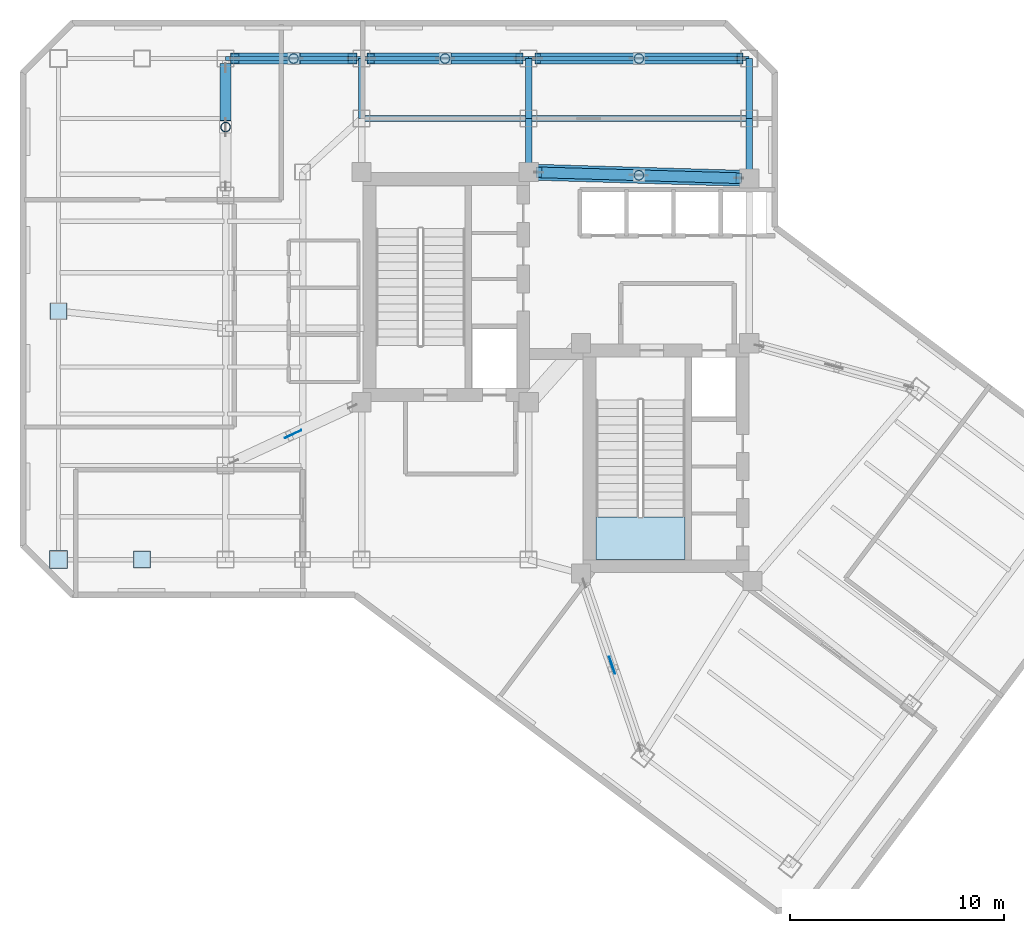
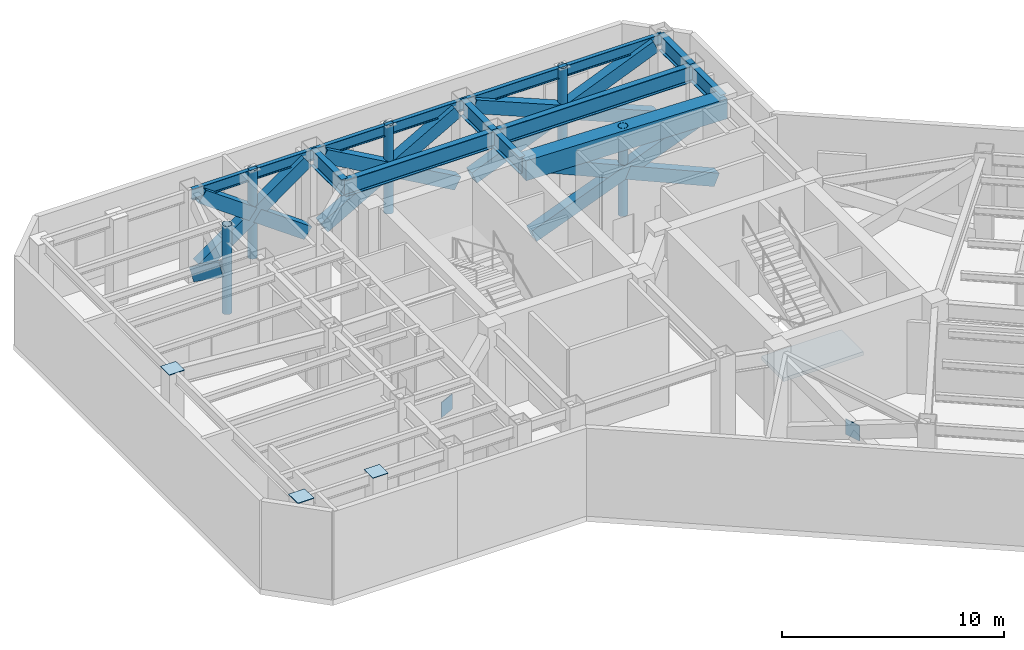
# One storey, part 3 of 12: 18 members, 11 beams, 5 plates, 1 slab, 1 element without a shape of its own.
"""IFC4 building model written with IfcOpenShell, lengths in metres."""

from ifc_helpers import new_model, si_unit, direction, frame, origin, origin_2d, place, context, subcontext, project, spatial, polyline, rectangle, hollow_rectangle, hollow_circle, i_section, outline, extrude, material, layer, layer_set, material_profile, profile_set, type_object, element, aggregate, save


model = new_model("IFC4")

# Units and contexts
model_context = context("Model", 3, precision=1e-05, world=origin(), true_north=direction((0.0, 1.0)))
body_context = subcontext(model_context, "Body", "Model", "MODEL_VIEW")
ifc_project = project(units=[si_unit("LENGTHUNIT", "METRE"), si_unit("AREAUNIT", "SQUARE_METRE"), si_unit("VOLUMEUNIT", "CUBIC_METRE"), si_unit("PLANEANGLEUNIT", "RADIAN"), si_unit("MASSUNIT", "GRAM", prefix="KILO")], contexts=[model_context])

# Site, building, storey
site_placement = place(None, origin())
site = spatial("IfcSite", under=ifc_project, at=site_placement, CompositionType="ELEMENT")
building_placement = place(site_placement, origin())
building = spatial("IfcBuilding", under=site, at=building_placement, Name="Hatsunagi Terrace Concourse", CompositionType="ELEMENT")
storey_placement = place(building_placement, frame((0.0, 0.0, 181.64990234375)))
storey = spatial("IfcBuildingStorey", under=building, at=storey_placement, Name="L48", CompositionType="ELEMENT", Elevation=181.64990234375)

# Members
ifc_material_1 = material(Name="Steel SN490B", Category="steel")
ifc_material_profile_1 = material_profile(ifc_material_1, hollow_circle(Radius=0.228515625, WallThickness=0.01904296875, at=origin_2d()), Name="CHS-457.2x19")
ifc_profile_set_1 = profile_set([ifc_material_profile_1], Name="Steel SN490B")
member_type_1 = type_object("IfcMemberType", Name="BeltTrussStrut_CHS_457x19", PredefinedType="STRUT", material=ifc_profile_set_1)
for number, where, z_axis, x_axis, name in (
    (1, (19.199951171875, 45.39990234375, 0.0), (0.0, 0.0, 1.0), (1.0, 0.0, 0.0), "Belt Strut BST-01 L48-2"),
    (2, (22.375, 48.60009765625, 0.0), (0.0, 0.0, 1.0), (1.0, 0.0, 0.0), "Belt Strut BST-01 L48-3"),
    (3, (29.449951171875, 48.60009765625, 0.0), (0.0, 0.0, 1.0), (1.0, 0.0, 0.0), "Belt Strut BST-01 L48-4"),
    (4, (38.5, 43.14990234375, 0.0), (0.0, 0.0, 1.0), (1.0, 0.0, 0.0), "Belt Strut BST-01 L48-7"),
    (5, (38.5, 48.60009765625, 0.0), (0.0, 0.0, 1.0), (1.0, 0.0, 0.0), "Belt Strut BST-01 L48-8"),
):
    element("IfcMember", number, at=place(storey_placement, frame(where, z_axis=z_axis, x_axis=x_axis)), inside=storey, type_object=member_type_1, Name=name, PredefinedType="STRUT", context=body_context, shape_type="SweptSolid", body=[
        extrude(hollow_circle(Radius=0.228515625, WallThickness=0.01904296875, at=origin_2d()), origin(), (0.0, 0.0, 1.0), 4.85009765625),
    ])

# Beams
ifc_material_2 = material(Name="Concrete Fc48", Category="concrete")
ifc_material_profile_2 = material_profile(ifc_material_2, rectangle(XDim=0.75, YDim=1.10009765625, at=origin_2d()), Name="RC-750x1100")
ifc_profile_set_2 = profile_set([ifc_material_profile_2], Name="Concrete Fc48")
beam_type_1 = type_object("IfcBeamType", Name="CoreCouplingBeam_RC_750x1100", PredefinedType="BEAM", material=ifc_profile_set_2)
beam_1_placement = place(storey_placement, frame((33.35009765625, 43.300048828125, 4.300048828125), z_axis=(0.999575947545, -0.029119153303, 0.0), x_axis=(0.029119153303, 0.999575947545, 0.0)))
element("IfcBeam", 6, at=beam_1_placement, inside=storey, type_object=beam_type_1, Name="Beam CB-02 CB-L48-2", PredefinedType="BEAM", context=body_context, shape_type="SweptSolid", body=[
    extrude(rectangle(XDim=0.75, YDim=1.10009765625, at=origin_2d()), origin(), (0.0, 0.0, 1.0), 10.30419921875),
])
ifc_material_3 = material(Name="Steel SN490B", Category="steel")
ifc_material_profile_3 = material_profile(ifc_material_3, i_section(OverallWidth=0.300048828125, OverallDepth=0.89990234375, WebThickness=0.01611328125, FlangeThickness=0.028076171875, FilletRadius=0.02197265625, at=origin_2d()), Name="H-900x300x16x28")
ifc_profile_set_3 = profile_set([ifc_material_profile_3], Name="Steel SN490B")
beam_type_2 = type_object("IfcBeamType", Name="HeavyRefugeGirder_H_900x300", PredefinedType="BEAM", material=ifc_profile_set_3)
beam_2_placement = place(storey_placement, frame((33.35009765625, 43.300048828125, 4.400146484375), z_axis=(0.0, 1.0, 0.0), x_axis=(-1.0, 0.0, 0.0)))
element("IfcBeam", 7, at=beam_2_placement, inside=storey, type_object=beam_type_2, Name="Beam G-02 BM-L48-CN2", PredefinedType="BEAM", context=body_context, shape_type="SweptSolid", body=[
    extrude(i_section(OverallWidth=0.300048828125, OverallDepth=0.89990234375, WebThickness=0.01611328125, FlangeThickness=0.028076171875, FilletRadius=0.02197265625, at=origin_2d()), origin(), (0.0, 0.0, 1.0), 2.5),
])
beam_3_placement = place(storey_placement, frame((43.64990234375, 43.0, 4.400146484375), z_axis=(0.0, 1.0, 0.0), x_axis=(-1.0, 0.0, 0.0)))
element("IfcBeam", 8, at=beam_3_placement, inside=storey, type_object=beam_type_2, Name="Beam G-02 BM-L48-CN3", PredefinedType="BEAM", context=body_context, shape_type="SweptSolid", body=[
    extrude(i_section(OverallWidth=0.300048828125, OverallDepth=0.89990234375, WebThickness=0.01611328125, FlangeThickness=0.028076171875, FilletRadius=0.02197265625, at=origin_2d()), origin(), (0.0, 0.0, 1.0), 2.800048828125),
])
beam_4_placement = place(storey_placement, frame((25.550048828125, 45.800048828125, 4.400146484375), z_axis=(1.0, 0.0, 0.0), x_axis=(0.0, 1.0, 0.0)))
element("IfcBeam", 9, at=beam_4_placement, inside=storey, type_object=beam_type_2, Name="Beam G-02 BM-L48-CNEW1", PredefinedType="BEAM", context=body_context, shape_type="SweptSolid", body=[
    extrude(i_section(OverallWidth=0.300048828125, OverallDepth=0.89990234375, WebThickness=0.01611328125, FlangeThickness=0.028076171875, FilletRadius=0.02197265625, at=origin_2d()), origin(), (0.0, 0.0, 1.0), 7.800048828125),
])
beam_5_placement = place(storey_placement, frame((33.35009765625, 45.800048828125, 4.400146484375), z_axis=(1.0, 0.0, 0.0), x_axis=(0.0, 1.0, 0.0)))
element("IfcBeam", 10, at=beam_5_placement, inside=storey, type_object=beam_type_2, Name="Beam G-02 BM-L48-CNEW2", PredefinedType="BEAM", context=body_context, shape_type="SweptSolid", body=[
    extrude(i_section(OverallWidth=0.300048828125, OverallDepth=0.89990234375, WebThickness=0.01611328125, FlangeThickness=0.028076171875, FilletRadius=0.02197265625, at=origin_2d()), origin(), (0.0, 0.0, 1.0), 10.2998046875),
])
for number, where, z_axis, x_axis, name in (
    (11, (25.550048828125, 45.800048828125, 4.400146484375), (0.0, 1.0, 0.0), (-1.0, 0.0, 0.0), "Beam G-02 BM-L48-KN-WN4"),
    (12, (33.35009765625, 45.800048828125, 4.400146484375), (0.0, 1.0, 0.0), (-1.0, 0.0, 0.0), "Beam G-02 BM-L48-KN-WN5"),
    (13, (43.64990234375, 45.800048828125, 4.400146484375), (0.0, 1.0, 0.0), (-1.0, 0.0, 0.0), "Beam G-02 BM-L48-KN-WN6"),
):
    element("IfcBeam", number, at=place(storey_placement, frame(where, z_axis=z_axis, x_axis=x_axis)), inside=storey, type_object=beam_type_2, Name=name, PredefinedType="BEAM", context=body_context, shape_type="SweptSolid", body=[
        extrude(i_section(OverallWidth=0.300048828125, OverallDepth=0.89990234375, WebThickness=0.01611328125, FlangeThickness=0.028076171875, FilletRadius=0.02197265625, at=origin_2d()), origin(), (0.0, 0.0, 1.0), 2.800048828125),
    ])

# Members
ifc_material_4 = material(Name="Steel SN490C", Category="steel")
ifc_material_profile_4 = material_profile(ifc_material_4, hollow_rectangle(XDim=0.5, YDim=0.699951171875, WallThickness=0.031982421875, at=origin_2d()), Name="RHS-700x500x32")
ifc_profile_set_4 = profile_set([ifc_material_profile_4], Name="Steel SN490C")
member_type_2 = type_object("IfcMemberType", Name="OutriggerDiagonal_RHS_700x500x32", PredefinedType="BRACE", material=ifc_profile_set_4)
member_1_placement = place(storey_placement, frame((19.199951171875, 45.513916015625, 2.343994140625), z_axis=(0.0, 0.815894861614, -0.578200289512), x_axis=(-1.0, 0.0, 0.0)))
element("IfcMember", 14, at=member_1_placement, inside=storey, type_object=member_type_2, Name="Split Secondary Brace Lower OUT-01 OUT-L48-2B2", PredefinedType="BRACE", context=body_context, shape_type="SweptSolid", body=[
    extrude(hollow_rectangle(XDim=0.5, YDim=0.699951171875, WallThickness=0.031982421875, at=origin_2d()), origin(), (0.0, 0.0, 1.0), 3.258056640625),
])
member_2_placement = place(storey_placement, frame((19.6279296875, 48.60009765625, 0.460205078125), z_axis=(0.813345004744, 0.0, 0.581781662876), x_axis=(0.0, 1.0, 0.0)))
element("IfcMember", 15, at=member_2_placement, inside=storey, type_object=member_type_2, Name="Primary Continuous Brace OUT-01 OUT-L48-3A", PredefinedType="BRACE", context=body_context, shape_type="SweptSolid", body=[
    extrude(hollow_rectangle(XDim=0.5, YDim=0.699951171875, WallThickness=0.031982421875, at=origin_2d()), origin(), (0.0, 0.0, 1.0), 6.7548828125),
])
member_3_placement = place(storey_placement, frame((19.6279296875, 48.60009765625, 4.39013671875), z_axis=(0.813254264639, 0.0, -0.581908498861), x_axis=(0.0, 1.0, 0.0)))
element("IfcMember", 16, at=member_3_placement, inside=storey, type_object=member_type_2, Name="Split Secondary Brace Upper OUT-01 OUT-L48-3B1", PredefinedType="BRACE", context=body_context, shape_type="SweptSolid", body=[
    extrude(hollow_rectangle(XDim=0.5, YDim=0.699951171875, WallThickness=0.031982421875, at=origin_2d()), origin(), (0.0, 0.0, 1.0), 3.23779296875),
])
member_4_placement = place(storey_placement, frame((22.489013671875, 48.60009765625, 2.343994140625), z_axis=(0.813289949803, 0.0, -0.581858623336), x_axis=(0.0, 1.0, 0.0)))
element("IfcMember", 17, at=member_4_placement, inside=storey, type_object=member_type_2, Name="Split Secondary Brace Lower OUT-01 OUT-L48-3B2", PredefinedType="BRACE", context=body_context, shape_type="SweptSolid", body=[
    extrude(hollow_rectangle(XDim=0.5, YDim=0.699951171875, WallThickness=0.031982421875, at=origin_2d()), origin(), (0.0, 0.0, 1.0), 3.237548828125),
])
member_5_placement = place(storey_placement, frame((25.97802734375, 48.60009765625, 0.460205078125), z_axis=(0.870293728407, 0.0, 0.492533071271), x_axis=(0.0, 1.0, 0.0)))
element("IfcMember", 18, at=member_5_placement, inside=storey, type_object=member_type_2, Name="Primary Continuous Brace OUT-01 OUT-L48-4A", PredefinedType="BRACE", context=body_context, shape_type="SweptSolid", body=[
    extrude(hollow_rectangle(XDim=0.5, YDim=0.699951171875, WallThickness=0.031982421875, at=origin_2d()), origin(), (0.0, 0.0, 1.0), 7.97900390625),
])
member_6_placement = place(storey_placement, frame((25.97802734375, 48.60009765625, 4.39013671875), z_axis=(0.870273271228, 0.0, -0.492569216847), x_axis=(0.0, 1.0, 0.0)))
element("IfcMember", 19, at=member_6_placement, inside=storey, type_object=member_type_2, Name="Split Secondary Brace Upper OUT-01 OUT-L48-4B1", PredefinedType="BRACE", context=body_context, shape_type="SweptSolid", body=[
    extrude(hollow_rectangle(XDim=0.5, YDim=0.699951171875, WallThickness=0.031982421875, at=origin_2d()), origin(), (0.0, 0.0, 1.0), 3.84912109375),
])
member_7_placement = place(storey_placement, frame((29.572021484375, 48.60009765625, 2.356201171875), z_axis=(0.870288658742, 0.0, -0.492542029135), x_axis=(0.0, 1.0, 0.0)))
element("IfcMember", 20, at=member_7_placement, inside=storey, type_object=member_type_2, Name="Split Secondary Brace Lower OUT-01 OUT-L48-4B2", PredefinedType="BRACE", context=body_context, shape_type="SweptSolid", body=[
    extrude(hollow_rectangle(XDim=0.5, YDim=0.699951171875, WallThickness=0.031982421875, at=origin_2d()), origin(), (0.0, 0.0, 1.0), 3.849365234375),
])
member_8_placement = place(storey_placement, frame((33.827880859375, 43.285888671875, 0.460205078125), z_axis=(0.921461928343, -0.026819997601, 0.387541742711), x_axis=(0.029093599689, 0.999576691634, 0.0)))
element("IfcMember", 21, at=member_8_placement, inside=storey, type_object=member_type_2, Name="Primary Continuous Brace OUT-01 OUT-L48-7A", PredefinedType="BRACE", context=body_context, shape_type="SweptSolid", body=[
    extrude(hollow_rectangle(XDim=0.5, YDim=0.699951171875, WallThickness=0.031982421875, at=origin_2d()), origin(), (0.0, 0.0, 1.0), 10.140625),
])
member_9_placement = place(storey_placement, frame((33.827880859375, 43.285888671875, 4.39013671875), z_axis=(0.921436293467, -0.026738438308, -0.387608324212), x_axis=(0.029006007207, 0.999579237252, 0.0)))
element("IfcMember", 22, at=member_9_placement, inside=storey, type_object=member_type_2, Name="Split Secondary Brace Upper OUT-01 OUT-L48-7B1", PredefinedType="BRACE", context=body_context, shape_type="SweptSolid", body=[
    extrude(hollow_rectangle(XDim=0.5, YDim=0.699951171875, WallThickness=0.031982421875, at=origin_2d()), origin(), (0.0, 0.0, 1.0), 4.9306640625),
])
member_10_placement = place(storey_placement, frame((38.62890625, 43.14599609375, 2.37109375), z_axis=(0.921452756516, -0.026788432547, -0.387565732992), x_axis=(0.029059676717, 0.999577678417, 0.0)))
element("IfcMember", 23, at=member_10_placement, inside=storey, type_object=member_type_2, Name="Split Secondary Brace Lower OUT-01 OUT-L48-7B2", PredefinedType="BRACE", context=body_context, shape_type="SweptSolid", body=[
    extrude(hollow_rectangle(XDim=0.5, YDim=0.699951171875, WallThickness=0.031982421875, at=origin_2d()), origin(), (0.0, 0.0, 1.0), 4.930419921875),
])
member_11_placement = place(storey_placement, frame((33.778076171875, 48.60009765625, 0.460205078125), z_axis=(0.923250540623, 0.0, 0.38419843732), x_axis=(0.0, 1.0, 0.0)))
element("IfcMember", 24, at=member_11_placement, inside=storey, type_object=member_type_2, Name="Primary Continuous Brace OUT-01 OUT-L48-8A", PredefinedType="BRACE", context=body_context, shape_type="SweptSolid", body=[
    extrude(hollow_rectangle(XDim=0.5, YDim=0.699951171875, WallThickness=0.031982421875, at=origin_2d()), origin(), (0.0, 0.0, 1.0), 10.22900390625),
])
member_12_placement = place(storey_placement, frame((33.778076171875, 48.60009765625, 4.39013671875), z_axis=(0.923264114973, 0.0, -0.384165815766), x_axis=(0.0, 1.0, 0.0)))
element("IfcMember", 25, at=member_12_placement, inside=storey, type_object=member_type_2, Name="Split Secondary Brace Upper OUT-01 OUT-L48-8B1", PredefinedType="BRACE", context=body_context, shape_type="SweptSolid", body=[
    extrude(hollow_rectangle(XDim=0.5, YDim=0.699951171875, WallThickness=0.031982421875, at=origin_2d()), origin(), (0.0, 0.0, 1.0), 4.974853515625),
])
member_13_placement = place(storey_placement, frame((38.62890625, 48.60009765625, 2.37109375), z_axis=(0.923281520898, 0.0, -0.384123981506), x_axis=(0.0, 1.0, 0.0)))
element("IfcMember", 26, at=member_13_placement, inside=storey, type_object=member_type_2, Name="Split Secondary Brace Lower OUT-01 OUT-L48-8B2", PredefinedType="BRACE", context=body_context, shape_type="SweptSolid", body=[
    extrude(hollow_rectangle(XDim=0.5, YDim=0.699951171875, WallThickness=0.031982421875, at=origin_2d()), origin(), (0.0, 0.0, 1.0), 4.974609375),
])

# Beams
ifc_material_5 = material(Name="Steel SN490B", Category="steel")
ifc_material_profile_5 = material_profile(ifc_material_5, i_section(OverallWidth=0.199951171875, OverallDepth=0.60009765625, WebThickness=0.010986328125, FlangeThickness=0.01708984375, FilletRadius=0.01806640625, at=origin_2d()), Name="H-600x200x11x17")
ifc_profile_set_5 = profile_set([ifc_material_profile_5], Name="Steel SN490B")
beam_type_3 = type_object("IfcBeamType", Name="PerimeterSpandrel_H_600x200", PredefinedType="SPANDREL", material=ifc_profile_set_5)
beam_6_placement = place(storey_placement, frame((19.199951171875, 48.60009765625, 4.550048828125), z_axis=(1.0, 0.0, 0.0), x_axis=(0.0, 1.0, 0.0)))
element("IfcBeam", 27, at=beam_6_placement, inside=storey, type_object=beam_type_3, Name="Beam SP-01 BM-L48-WN-19", PredefinedType="SPANDREL", context=body_context, shape_type="SweptSolid", body=[
    extrude(i_section(OverallWidth=0.199951171875, OverallDepth=0.60009765625, WebThickness=0.010986328125, FlangeThickness=0.01708984375, FilletRadius=0.01806640625, at=origin_2d()), origin(), (0.0, 0.0, 1.0), 6.35009765625),
])
beam_7_placement = place(storey_placement, frame((25.550048828125, 48.60009765625, 4.550048828125), z_axis=(1.0, 0.0, 0.0), x_axis=(0.0, 1.0, 0.0)))
element("IfcBeam", 28, at=beam_7_placement, inside=storey, type_object=beam_type_3, Name="Beam SP-01 BM-L48-WN-25", PredefinedType="SPANDREL", context=body_context, shape_type="SweptSolid", body=[
    extrude(i_section(OverallWidth=0.199951171875, OverallDepth=0.60009765625, WebThickness=0.010986328125, FlangeThickness=0.01708984375, FilletRadius=0.01806640625, at=origin_2d()), origin(), (0.0, 0.0, 1.0), 7.800048828125),
])
beam_8_placement = place(storey_placement, frame((33.35009765625, 48.60009765625, 4.550048828125), z_axis=(1.0, 0.0, 0.0), x_axis=(0.0, 1.0, 0.0)))
element("IfcBeam", 29, at=beam_8_placement, inside=storey, type_object=beam_type_3, Name="Beam SP-01 BM-L48-WN-33", PredefinedType="SPANDREL", context=body_context, shape_type="SweptSolid", body=[
    extrude(i_section(OverallWidth=0.199951171875, OverallDepth=0.60009765625, WebThickness=0.010986328125, FlangeThickness=0.01708984375, FilletRadius=0.01806640625, at=origin_2d()), origin(), (0.0, 0.0, 1.0), 10.2998046875),
])

# Plates
ifc_material_6 = material(Name="Steel SN490C", Category="steel")
ifc_layer_1 = layer(ifc_material_6, 0.031982421875)
ifc_layer_set_1 = layer_set([ifc_layer_1], Name="ColumnEndCapPlate_32")
plate_type_1 = type_object("IfcPlateType", Name="ColumnEndCapPlate_32", PredefinedType="USERDEFINED", material=ifc_layer_set_1)
plate_placement = place(storey_placement, frame((11.39990234375, 25.199951171875, 4.81787109375), z_axis=(0.0, 0.0, 1.0), x_axis=(1.0, 0.0, 0.0)))
element("IfcPlate", 30, at=plate_placement, inside=storey, type_object=plate_type_1, Name="Hollow Column Top Cap Plate GP-03 L48-WS2", ObjectType="GUSSET_PLATE", PredefinedType="USERDEFINED", context=body_context, shape_type="SweptSolid", body=[
    extrude(rectangle(XDim=0.840087890625, YDim=0.840087890625, at=origin_2d()), origin(), (0.0, 0.0, 1.0), 0.031982421875),
])
for number, where, z_axis, x_axis, name in (
    (31, (11.39990234375, 36.800048828125, 4.81787109375), (0.0, 0.0, 1.0), (1.0, 0.0, 0.0), "Hollow Column Top Cap Plate GP-03 L48-WT1"),
    (32, (15.300048828125, 25.199951171875, 4.81787109375), (0.0, 0.0, 1.0), (1.0, 0.0, 0.0), "Hollow Column Top Cap Plate GP-03 L48-WT3"),
):
    element("IfcPlate", number, at=place(storey_placement, frame(where, z_axis=z_axis, x_axis=x_axis)), inside=storey, type_object=plate_type_1, Name=name, ObjectType="GUSSET_PLATE", PredefinedType="USERDEFINED", context=body_context, shape_type="SweptSolid", body=[
        extrude(rectangle(XDim=0.7900390625, YDim=0.7900390625, at=origin_2d()), origin(), (0.0, 0.0, 1.0), 0.031982421875),
    ])

# Stair, slab
ifc_material_7 = material(Name="Concrete Fc42", Category="concrete")
stair_type = type_object("IfcStairType", Name="DoglegExitStair_Tower2000_30R_170", PredefinedType="HALF_TURN_STAIR", material=ifc_material_7)
stair_placement = place(storey_placement, origin())
stair = element("IfcStair", 33, at=stair_placement, inside=storey, type_object=stair_type, Name="L48 Core B Protected Exit Stair ST-B", PredefinedType="HALF_TURN_STAIR")
ifc_material_8 = material(Name="Concrete Fc42", Category="concrete")
ifc_layer_2 = layer(ifc_material_8, 0.199951171875)
ifc_layer_set_2 = layer_set([ifc_layer_2], Name="DoglegStairLanding_Tower2000")
slab_type = type_object("IfcSlabType", Name="DoglegStairLanding_Tower2000", PredefinedType="LANDING", material=ifc_layer_set_2)
slab_placement = place(storey_placement, frame((0.0, 0.0, 2.35009765625)))
slab = element("IfcSlab", 34, at=slab_placement, type_object=slab_type, Name="ST-B landing 1", PredefinedType="LANDING", context=body_context, shape_type="SweptSolid", body=[
    extrude(outline(polyline([(36.5, 27.199951171875), (36.5, 25.199951171875), (40.64990234375, 25.199951171875), (40.64990234375, 27.199951171875), (36.5, 27.199951171875)])), origin(), (0.0, 0.0, 1.0), 0.199951171875),
])
aggregate(stair, [slab])

# Plates
ifc_material_9 = material(Name="Steel SN490C", Category="steel")
ifc_layer_3 = layer(ifc_material_9, 0.035888671875)
ifc_layer_set_3 = layer_set([ifc_layer_3], Name="OutriggerGussetPlate_36")
plate_type_2 = type_object("IfcPlateType", Name="OutriggerGussetPlate_36", PredefinedType="USERDEFINED", material=ifc_layer_set_3)
for number, where, z_axis, x_axis, name in (
    (35, (22.35205078125, 31.06396484375, 2.0048828125), (0.0, 0.0, 1.0), (-0.906911697231, -0.421320748867, 0.0), "Crossing Gusset Node Plate GP-01 OUT-L48-1"),
    (36, (37.248046875, 20.27099609375, 2.0048828125), (0.0, 0.0, 1.0), (0.320565047555, -0.947226504214, 0.0), "Crossing Gusset Node Plate GP-01 OUT-L48-5"),
):
    element("IfcPlate", number, at=place(storey_placement, frame(where, z_axis=z_axis, x_axis=x_axis)), inside=storey, type_object=plate_type_2, Name=name, ObjectType="GUSSET_PLATE", PredefinedType="USERDEFINED", context=body_context, shape_type="SweptSolid", body=[
        extrude(rectangle(XDim=0.840087890625, YDim=0.035888671875, at=origin_2d()), origin(), (0.0, 0.0, 1.0), 0.840087890625),
    ])

save(model, "model.ifc")
